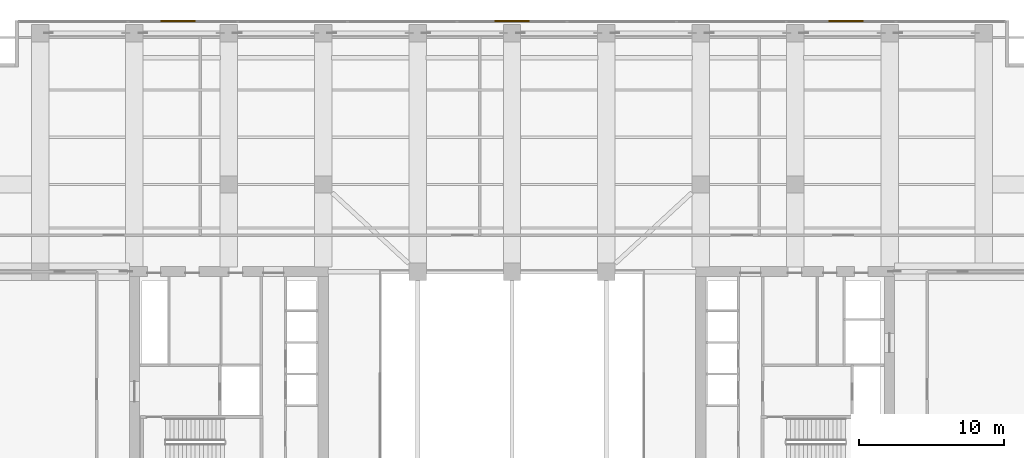
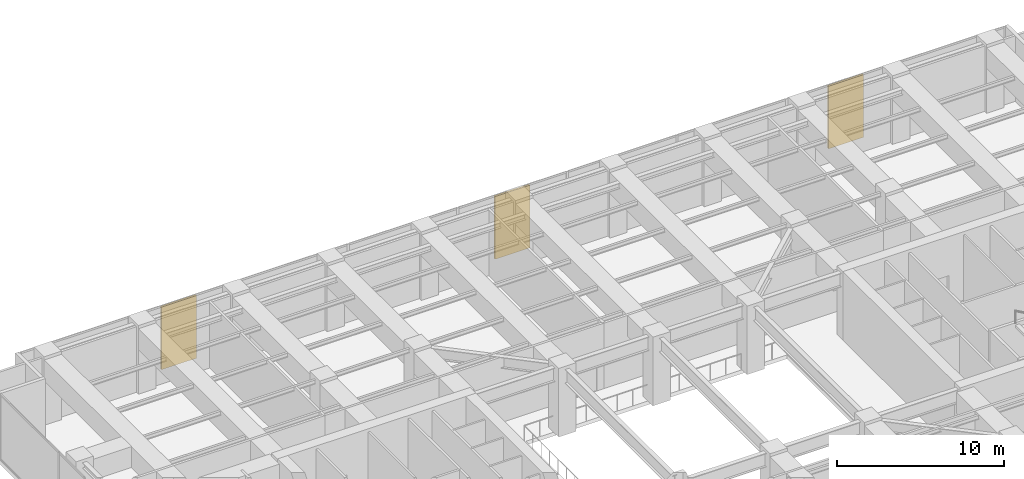
# One storey, part 28 of 28: 3 shading devices.
"""IFC4 building model written with IfcOpenShell, lengths in metres."""

from ifc_helpers import new_model, si_unit, direction, frame, origin, origin_2d, place, context, subcontext, project, spatial, rectangle, extrude, material, layer, layer_set, type_object, element, save


model = new_model("IFC4")

# Units and contexts
model_context = context("Model", 3, precision=1e-05, world=origin(), true_north=direction((0.0, 1.0)))
body_context = subcontext(model_context, "Body", "Model", "MODEL_VIEW")
ifc_project = project(units=[si_unit("LENGTHUNIT", "METRE"), si_unit("AREAUNIT", "SQUARE_METRE"), si_unit("VOLUMEUNIT", "CUBIC_METRE"), si_unit("PLANEANGLEUNIT", "RADIAN"), si_unit("MASSUNIT", "GRAM", prefix="KILO")], contexts=[model_context])

# Site, building, storey
site_placement = place(None, origin())
site = spatial("IfcSite", under=ifc_project, at=site_placement, CompositionType="ELEMENT")
building_placement = place(site_placement, origin())
building = spatial("IfcBuilding", under=site, at=building_placement, Name="Putna Gate Headquarters", CompositionType="ELEMENT")
storey_placement = place(building_placement, frame((0.0, 0.0, 139.199951171875)))
storey = spatial("IfcBuildingStorey", under=building, at=storey_placement, Name="L34", CompositionType="ELEMENT", Elevation=139.199951171875)

# Shading devices
ifc_material = material(Name="Anodised bronze acoustic weather louvre", Category="aluminium")
ifc_layer = layer(ifc_material, 0.1201171875)
ifc_layer_set = layer_set([ifc_layer], Name="Anodised bronze acoustic weather louvre")
shading_device_type = type_object("IfcShadingDeviceType", Name="SHADE-PLANT-LOUVRE", PredefinedType="JALOUSIE", material=ifc_layer_set)
for number, where, z_axis, x_axis, name in (
    (1, (16.0, 50.27001953125, 0.10009765625), (0.0, 0.0, 1.0), (1.0, 0.0, 0.0), "L34 Bronze Acoustic Louvre N1"),
    (2, (39.0, 50.27001953125, 0.10009765625), (0.0, 0.0, 1.0), (1.0, 0.0, 0.0), "L34 Bronze Acoustic Louvre N2"),
    (3, (62.0, 50.27001953125, 0.10009765625), (0.0, 0.0, 1.0), (1.0, 0.0, 0.0), "L34 Bronze Acoustic Louvre N3"),
):
    element("IfcShadingDevice", number, at=place(storey_placement, frame(where, z_axis=z_axis, x_axis=x_axis)), inside=storey, type_object=shading_device_type, Name=name, PredefinedType="JALOUSIE", context=body_context, shape_type="SweptSolid", body=[
        extrude(rectangle(XDim=2.39990234375, YDim=0.1201171875, at=origin_2d()), origin(), (0.0, 0.0, 1.0), 4.572021484375),
    ])

save(model, "model.ifc")
